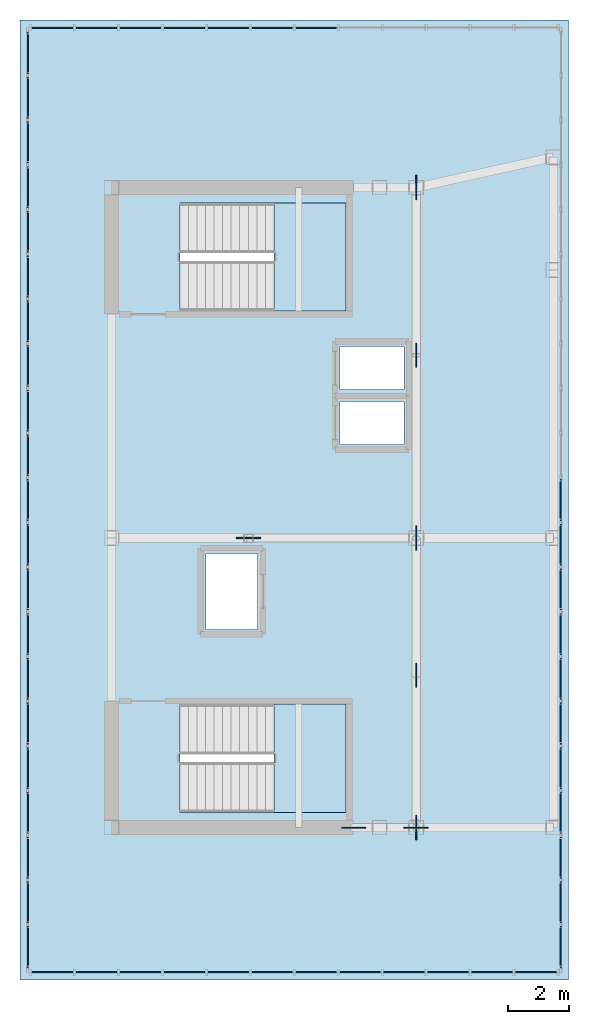
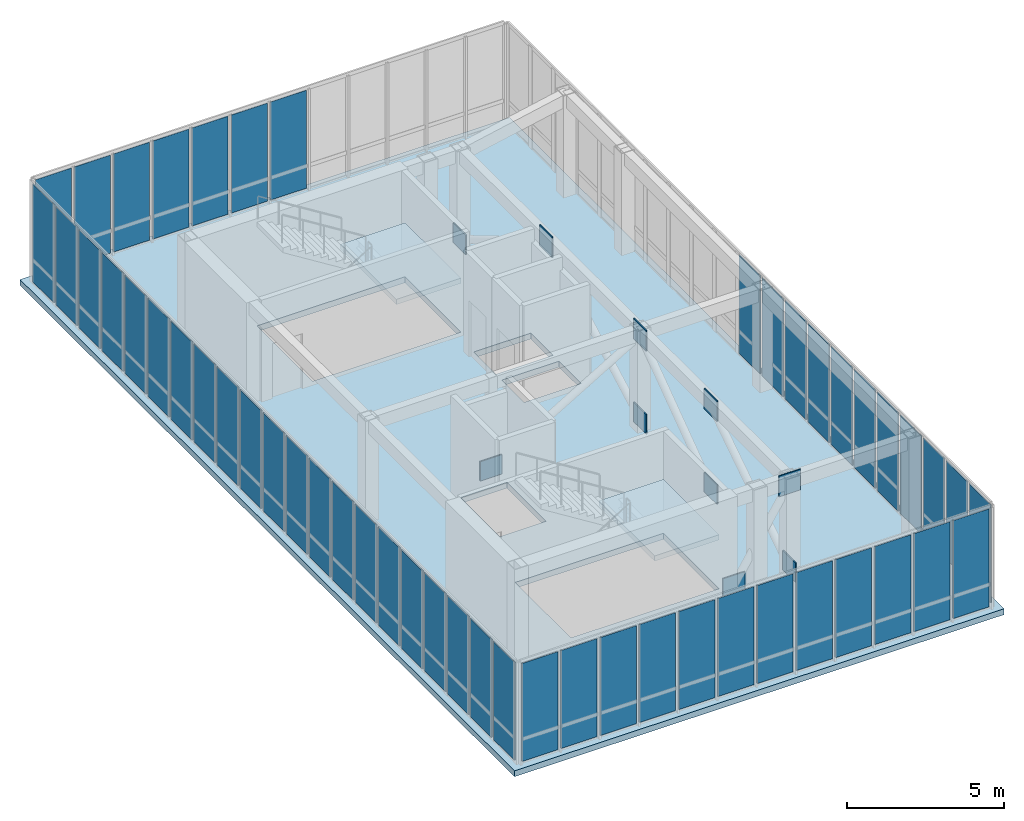
# One storey, part 11 of 13: 61 plates, 3 slabs, 6 elements without a shape of their own.
"""IFC4 building model written with IfcOpenShell, lengths in metres."""

from ifc_helpers import new_model, si_unit, direction, frame, origin, origin_2d, place, context, subcontext, project, spatial, polyline, rectangle, outline, extrude, source, transform, mapped, material, layer, layer_set, type_object, element, aggregate, save


model = new_model("IFC4")

# Units and contexts
model_context = context("Model", 3, precision=1e-05, world=origin(), true_north=direction((0.0, 1.0)))
body_context = subcontext(model_context, "Body", "Model", "MODEL_VIEW")
ifc_project = project(units=[si_unit("LENGTHUNIT", "METRE"), si_unit("AREAUNIT", "SQUARE_METRE"), si_unit("VOLUMEUNIT", "CUBIC_METRE"), si_unit("PLANEANGLEUNIT", "RADIAN"), si_unit("MASSUNIT", "GRAM", prefix="KILO")], contexts=[model_context])

# Site, building, storey
site_placement = place(None, origin())
site = spatial("IfcSite", under=ifc_project, at=site_placement, CompositionType="ELEMENT")
building_placement = place(site_placement, origin())
building = spatial("IfcBuilding", under=site, at=building_placement, Name="Kharzan Plaza Tower", CompositionType="ELEMENT")
storey_placement = place(building_placement, frame((0.0, 0.0, 281.39990234375)))
storey = spatial("IfcBuildingStorey", under=building, at=storey_placement, Name="L76-CROWN", CompositionType="ELEMENT", Elevation=281.39990234375)

# Slab
ifc_material_1 = material(Name="Concrete C40/50", Category="concrete")
ifc_layer_1 = layer(ifc_material_1, 0.22998046875)
ifc_layer_set_1 = layer_set([ifc_layer_1], Name="Concrete C40/50")
slab_type_1 = type_object("IfcSlabType", Name="SL-FLOOR-230", PredefinedType="FLOOR", material=ifc_layer_set_1)
slab_1_placement = place(storey_placement, frame((0.0, 0.0, -0.22998046875)))
element("IfcSlab", 1, at=slab_1_placement, inside=storey, type_object=slab_type_1, Name="L76-CROWN Composite Structural Floor Slab 230 mm", PredefinedType="FLOOR", context=body_context, shape_type="SweptSolid", body=[
    extrude(outline(polyline([(1.5, 3.5), (19.5, 3.5), (19.5, 35.0), (1.5, 35.0), (1.5, 3.5)]), holes=[polyline([(6.75, 12.550048828125), (6.75, 9.0), (12.199951171875, 9.0), (12.199951171875, 12.550048828125), (6.75, 12.550048828125)]), polyline([(7.60009765625, 17.5), (7.60009765625, 15.0), (9.300048828125, 15.0), (9.300048828125, 17.5), (7.60009765625, 17.5)]), polyline([(12.0, 22.489990234375), (12.0, 21.070068359375), (14.10009765625, 21.070068359375), (14.10009765625, 22.489990234375), (12.0, 22.489990234375)]), polyline([(14.10009765625, 24.2900390625), (12.0, 24.2900390625), (12.0, 22.8701171875), (14.10009765625, 22.8701171875), (14.10009765625, 24.2900390625)]), polyline([(12.199951171875, 29.0), (6.75, 29.0), (6.75, 25.449951171875), (12.199951171875, 25.449951171875), (12.199951171875, 29.0)])]), origin(), (0.0, 0.0, 1.0), 0.22998046875),
])

# Stair, slab
stair_type_1 = type_object("IfcStairType", Name="STR-ST-1", PredefinedType="HALF_TURN_STAIR", material=ifc_material_1)
stair_1_placement = place(storey_placement, origin())
stair_1 = element("IfcStair", 2, at=stair_1_placement, inside=storey, type_object=stair_type_1, Name="L76-CROWN Protected Exit Stair ST-1", PredefinedType="HALF_TURN_STAIR")
ifc_layer_2 = layer(ifc_material_1, 0.219970703125)
ifc_layer_set_2 = layer_set([ifc_layer_2], Name="Concrete C40/50")
slab_type_2 = type_object("IfcSlabType", Name="SL-LANDING-220", PredefinedType="LANDING", material=ifc_layer_set_2)
slab_2_placement = place(storey_placement, frame((0.0, 0.0, 1.900146484375)))
slab_2 = element("IfcSlab", 3, at=slab_2_placement, type_object=slab_type_2, Name="ST-1 landing 1", PredefinedType="LANDING", context=body_context, shape_type="SweptSolid", body=[
    extrude(outline(polyline([(9.830078125, 9.0), (12.199951171875, 9.0), (12.199951171875, 12.550048828125), (9.830078125, 12.550048828125), (9.830078125, 9.0)])), origin(), (0.0, 0.0, 1.0), 0.199951171875),
])
aggregate(stair_1, [slab_2])

stair_type_2 = type_object("IfcStairType", Name="STR-ST-2", PredefinedType="HALF_TURN_STAIR", material=ifc_material_1)
stair_2_placement = place(storey_placement, origin())
stair_2 = element("IfcStair", 4, at=stair_2_placement, inside=storey, type_object=stair_type_2, Name="L76-CROWN Protected Exit Stair ST-2", PredefinedType="HALF_TURN_STAIR")
slab_3_placement = place(storey_placement, frame((0.0, 0.0, 1.900146484375)))
slab_3 = element("IfcSlab", 5, at=slab_3_placement, type_object=slab_type_2, Name="ST-2 landing 1", PredefinedType="LANDING", context=body_context, shape_type="SweptSolid", body=[
    extrude(outline(polyline([(9.830078125, 25.449951171875), (12.199951171875, 25.449951171875), (12.199951171875, 29.0), (9.830078125, 29.0), (9.830078125, 25.449951171875)])), origin(), (0.0, 0.0, 1.0), 0.199951171875),
])
aggregate(stair_2, [slab_3])

# Curtain wall, plates
ifc_material_2 = material(Name="Unitised Bronze-Anodized Aluminium and Low-E Glass", Category="aluminium")
ifc_layer_3 = layer(ifc_material_2, 0.199951171875)
ifc_layer_set_3 = layer_set([ifc_layer_3], Name="Unitised Bronze-Anodized Aluminium and Low-E Glass")
curtain_wall_type = type_object("IfcCurtainWallType", Name="CW-LANTERN-6", PredefinedType="NOTDEFINED", material=ifc_layer_set_3)
curtain_wall_1_placement = place(storey_placement, origin())
curtain_wall_1 = element("IfcCurtainWall", 6, at=curtain_wall_1_placement, inside=storey, type_object=curtain_wall_type, Name="L76-CROWN Lantern Crown Illuminated Curtain Wall 1", PredefinedType="NOTDEFINED")
ifc_material_3 = material(Name="Low-Iron Fritted Lantern Crown Glazing", Category="glass")
ifc_layer_4 = layer(ifc_material_3, 0.035888671875)
ifc_layer_set_4 = layer_set([ifc_layer_4], Name="Low-Iron Fritted Lantern Crown Glazing")
plate_type_1 = type_object("IfcPlateType", Name="PLT-CW-LANTERN", PredefinedType="CURTAIN_PANEL", material=ifc_layer_set_4)
shared_shape_1 = source(origin(), body_context, "Body", "SweptSolid", [
    extrude(rectangle(XDim=1.32177734375, YDim=0.035888671875, at=origin_2d()), origin(), (0.0, 0.0, 1.0), 3.81005859375),
])
plate_1_placement = place(storey_placement, frame((2.57080078125, 3.75, 0.080078125), z_axis=(0.0, 0.0, 1.0), x_axis=(1.0, 0.0, 0.0)))
plate_1 = element("IfcPlate", 7, at=plate_1_placement, type_object=plate_type_1, Name="L76-CROWN Curtain-Wall Glazed Panel 00", PredefinedType="CURTAIN_PANEL", context=body_context, shape_type="MappedRepresentation", body=[
    mapped(shared_shape_1, transform((0.0, 0.0, 0.0), x_axis=(1.0, 0.0, 0.0), y_axis=(0.0, 1.0, 0.0), z_axis=(0.0, 0.0, 1.0))),
])
plate_2_placement = place(storey_placement, frame((4.012451171875, 3.75, 0.080078125), z_axis=(0.0, 0.0, 1.0), x_axis=(1.0, 0.0, 0.0)))
plate_2 = element("IfcPlate", 8, at=plate_2_placement, type_object=plate_type_1, Name="L76-CROWN Curtain-Wall Glazed Panel 01", PredefinedType="CURTAIN_PANEL", context=body_context, shape_type="MappedRepresentation", body=[
    mapped(shared_shape_1, transform((0.0, 0.0, 0.0), x_axis=(1.0, 0.0, 0.0), y_axis=(0.0, 1.0, 0.0), z_axis=(0.0, 0.0, 1.0))),
])
plate_3_placement = place(storey_placement, frame((5.4541015625, 3.75, 0.080078125), z_axis=(0.0, 0.0, 1.0), x_axis=(1.0, 0.0, 0.0)))
plate_3 = element("IfcPlate", 9, at=plate_3_placement, type_object=plate_type_1, Name="L76-CROWN Curtain-Wall Glazed Panel 02", PredefinedType="CURTAIN_PANEL", context=body_context, shape_type="MappedRepresentation", body=[
    mapped(shared_shape_1, transform((0.0, 0.0, 0.0), x_axis=(1.0, 0.0, 0.0), y_axis=(0.0, 1.0, 0.0), z_axis=(0.0, 0.0, 1.0))),
])
plate_4_placement = place(storey_placement, frame((6.895751953125, 3.75, 0.080078125), z_axis=(0.0, 0.0, 1.0), x_axis=(1.0, 0.0, 0.0)))
plate_4 = element("IfcPlate", 10, at=plate_4_placement, type_object=plate_type_1, Name="L76-CROWN Curtain-Wall Glazed Panel 03", PredefinedType="CURTAIN_PANEL", context=body_context, shape_type="MappedRepresentation", body=[
    mapped(shared_shape_1, transform((0.0, 0.0, 0.0), x_axis=(1.0, 0.0, 0.0), y_axis=(0.0, 1.0, 0.0), z_axis=(0.0, 0.0, 1.0))),
])
plate_5_placement = place(storey_placement, frame((8.33740234375, 3.75, 0.080078125), z_axis=(0.0, 0.0, 1.0), x_axis=(1.0, 0.0, 0.0)))
plate_5 = element("IfcPlate", 11, at=plate_5_placement, type_object=plate_type_1, Name="L76-CROWN Curtain-Wall Glazed Panel 04", PredefinedType="CURTAIN_PANEL", context=body_context, shape_type="MappedRepresentation", body=[
    mapped(shared_shape_1, transform((0.0, 0.0, 0.0), x_axis=(1.0, 0.0, 0.0), y_axis=(0.0, 1.0, 0.0), z_axis=(0.0, 0.0, 1.0))),
])
plate_6_placement = place(storey_placement, frame((9.779296875, 3.75, 0.080078125), z_axis=(0.0, 0.0, 1.0), x_axis=(1.0, 0.0, 0.0)))
plate_6 = element("IfcPlate", 12, at=plate_6_placement, type_object=plate_type_1, Name="L76-CROWN Curtain-Wall Glazed Panel 05", PredefinedType="CURTAIN_PANEL", context=body_context, shape_type="MappedRepresentation", body=[
    mapped(shared_shape_1, transform((0.0, 0.0, 0.0), x_axis=(1.0, 0.0, 0.0), y_axis=(0.0, 1.0, 0.0), z_axis=(0.0, 0.0, 1.0))),
])
plate_7_placement = place(storey_placement, frame((11.220703125, 3.75, 0.080078125), z_axis=(0.0, 0.0, 1.0), x_axis=(1.0, 0.0, 0.0)))
plate_7 = element("IfcPlate", 13, at=plate_7_placement, type_object=plate_type_1, Name="L76-CROWN Curtain-Wall Glazed Panel 06", PredefinedType="CURTAIN_PANEL", context=body_context, shape_type="MappedRepresentation", body=[
    mapped(shared_shape_1, transform((0.0, 0.0, 0.0), x_axis=(1.0, 0.0, 0.0), y_axis=(0.0, 1.0, 0.0), z_axis=(0.0, 0.0, 1.0))),
])
plate_8_placement = place(storey_placement, frame((12.66259765625, 3.75, 0.080078125), z_axis=(0.0, 0.0, 1.0), x_axis=(1.0, 0.0, 0.0)))
plate_8 = element("IfcPlate", 14, at=plate_8_placement, type_object=plate_type_1, Name="L76-CROWN Curtain-Wall Glazed Panel 07", PredefinedType="CURTAIN_PANEL", context=body_context, shape_type="MappedRepresentation", body=[
    mapped(shared_shape_1, transform((0.0, 0.0, 0.0), x_axis=(1.0, 0.0, 0.0), y_axis=(0.0, 1.0, 0.0), z_axis=(0.0, 0.0, 1.0))),
])
plate_9_placement = place(storey_placement, frame((14.104248046875, 3.75, 0.080078125), z_axis=(0.0, 0.0, 1.0), x_axis=(1.0, 0.0, 0.0)))
plate_9 = element("IfcPlate", 15, at=plate_9_placement, type_object=plate_type_1, Name="L76-CROWN Curtain-Wall Glazed Panel 08", PredefinedType="CURTAIN_PANEL", context=body_context, shape_type="MappedRepresentation", body=[
    mapped(shared_shape_1, transform((0.0, 0.0, 0.0), x_axis=(1.0, 0.0, 0.0), y_axis=(0.0, 1.0, 0.0), z_axis=(0.0, 0.0, 1.0))),
])
plate_10_placement = place(storey_placement, frame((15.5458984375, 3.75, 0.080078125), z_axis=(0.0, 0.0, 1.0), x_axis=(1.0, 0.0, 0.0)))
plate_10 = element("IfcPlate", 16, at=plate_10_placement, type_object=plate_type_1, Name="L76-CROWN Curtain-Wall Glazed Panel 09", PredefinedType="CURTAIN_PANEL", context=body_context, shape_type="MappedRepresentation", body=[
    mapped(shared_shape_1, transform((0.0, 0.0, 0.0), x_axis=(1.0, 0.0, 0.0), y_axis=(0.0, 1.0, 0.0), z_axis=(0.0, 0.0, 1.0))),
])
plate_11_placement = place(storey_placement, frame((16.987548828125, 3.75, 0.080078125), z_axis=(0.0, 0.0, 1.0), x_axis=(1.0, 0.0, 0.0)))
plate_11 = element("IfcPlate", 17, at=plate_11_placement, type_object=plate_type_1, Name="L76-CROWN Curtain-Wall Glazed Panel 10", PredefinedType="CURTAIN_PANEL", context=body_context, shape_type="MappedRepresentation", body=[
    mapped(shared_shape_1, transform((0.0, 0.0, 0.0), x_axis=(1.0, 0.0, 0.0), y_axis=(0.0, 1.0, 0.0), z_axis=(0.0, 0.0, 1.0))),
])
plate_12_placement = place(storey_placement, frame((18.42919921875, 3.75, 0.080078125), z_axis=(0.0, 0.0, 1.0), x_axis=(1.0, 0.0, 0.0)))
plate_12 = element("IfcPlate", 18, at=plate_12_placement, type_object=plate_type_1, Name="L76-CROWN Curtain-Wall Glazed Panel 11", PredefinedType="CURTAIN_PANEL", context=body_context, shape_type="MappedRepresentation", body=[
    mapped(shared_shape_1, transform((0.0, 0.0, 0.0), x_axis=(1.0, 0.0, 0.0), y_axis=(0.0, 1.0, 0.0), z_axis=(0.0, 0.0, 1.0))),
])
aggregate(curtain_wall_1, [plate_1, plate_2, plate_3, plate_4, plate_5, plate_6, plate_7, plate_8, plate_9, plate_10, plate_11, plate_12])

curtain_wall_2_placement = place(storey_placement, origin())
curtain_wall_2 = element("IfcCurtainWall", 19, at=curtain_wall_2_placement, inside=storey, type_object=curtain_wall_type, Name="L76-CROWN Lantern Crown Illuminated Curtain Wall 3", PredefinedType="NOTDEFINED")
plate_13_placement = place(storey_placement, frame((11.220703125, 34.75, 0.080078125), z_axis=(0.0, 0.0, 1.0), x_axis=(-1.0, 0.0, 0.0)))
plate_13 = element("IfcPlate", 20, at=plate_13_placement, type_object=plate_type_1, Name="L76-CROWN Curtain-Wall Glazed Panel 05", PredefinedType="CURTAIN_PANEL", context=body_context, shape_type="MappedRepresentation", body=[
    mapped(shared_shape_1, transform((0.0, 0.0, 0.0), x_axis=(1.0, 0.0, 0.0), y_axis=(0.0, 1.0, 0.0), z_axis=(0.0, 0.0, 1.0))),
])
plate_14_placement = place(storey_placement, frame((9.779296875, 34.75, 0.080078125), z_axis=(0.0, 0.0, 1.0), x_axis=(-1.0, 0.0, 0.0)))
plate_14 = element("IfcPlate", 21, at=plate_14_placement, type_object=plate_type_1, Name="L76-CROWN Curtain-Wall Glazed Panel 06", PredefinedType="CURTAIN_PANEL", context=body_context, shape_type="MappedRepresentation", body=[
    mapped(shared_shape_1, transform((0.0, 0.0, 0.0), x_axis=(1.0, 0.0, 0.0), y_axis=(0.0, 1.0, 0.0), z_axis=(0.0, 0.0, 1.0))),
])
plate_15_placement = place(storey_placement, frame((8.33740234375, 34.75, 0.080078125), z_axis=(0.0, 0.0, 1.0), x_axis=(-1.0, 0.0, 0.0)))
plate_15 = element("IfcPlate", 22, at=plate_15_placement, type_object=plate_type_1, Name="L76-CROWN Curtain-Wall Glazed Panel 07", PredefinedType="CURTAIN_PANEL", context=body_context, shape_type="MappedRepresentation", body=[
    mapped(shared_shape_1, transform((0.0, 0.0, 0.0), x_axis=(1.0, 0.0, 0.0), y_axis=(0.0, 1.0, 0.0), z_axis=(0.0, 0.0, 1.0))),
])
plate_16_placement = place(storey_placement, frame((6.895751953125, 34.75, 0.080078125), z_axis=(0.0, 0.0, 1.0), x_axis=(-1.0, 0.0, 0.0)))
plate_16 = element("IfcPlate", 23, at=plate_16_placement, type_object=plate_type_1, Name="L76-CROWN Curtain-Wall Glazed Panel 08", PredefinedType="CURTAIN_PANEL", context=body_context, shape_type="MappedRepresentation", body=[
    mapped(shared_shape_1, transform((0.0, 0.0, 0.0), x_axis=(1.0, 0.0, 0.0), y_axis=(0.0, 1.0, 0.0), z_axis=(0.0, 0.0, 1.0))),
])
plate_17_placement = place(storey_placement, frame((5.4541015625, 34.75, 0.080078125), z_axis=(0.0, 0.0, 1.0), x_axis=(-1.0, 0.0, 0.0)))
plate_17 = element("IfcPlate", 24, at=plate_17_placement, type_object=plate_type_1, Name="L76-CROWN Curtain-Wall Glazed Panel 09", PredefinedType="CURTAIN_PANEL", context=body_context, shape_type="MappedRepresentation", body=[
    mapped(shared_shape_1, transform((0.0, 0.0, 0.0), x_axis=(1.0, 0.0, 0.0), y_axis=(0.0, 1.0, 0.0), z_axis=(0.0, 0.0, 1.0))),
])
plate_18_placement = place(storey_placement, frame((4.012451171875, 34.75, 0.080078125), z_axis=(0.0, 0.0, 1.0), x_axis=(-1.0, 0.0, 0.0)))
plate_18 = element("IfcPlate", 25, at=plate_18_placement, type_object=plate_type_1, Name="L76-CROWN Curtain-Wall Glazed Panel 10", PredefinedType="CURTAIN_PANEL", context=body_context, shape_type="MappedRepresentation", body=[
    mapped(shared_shape_1, transform((0.0, 0.0, 0.0), x_axis=(1.0, 0.0, 0.0), y_axis=(0.0, 1.0, 0.0), z_axis=(0.0, 0.0, 1.0))),
])
plate_19_placement = place(storey_placement, frame((2.57080078125, 34.75, 0.080078125), z_axis=(0.0, 0.0, 1.0), x_axis=(-1.0, 0.0, 0.0)))
plate_19 = element("IfcPlate", 26, at=plate_19_placement, type_object=plate_type_1, Name="L76-CROWN Curtain-Wall Glazed Panel 11", PredefinedType="CURTAIN_PANEL", context=body_context, shape_type="MappedRepresentation", body=[
    mapped(shared_shape_1, transform((0.0, 0.0, 0.0), x_axis=(1.0, 0.0, 0.0), y_axis=(0.0, 1.0, 0.0), z_axis=(0.0, 0.0, 1.0))),
])
aggregate(curtain_wall_2, [plate_13, plate_14, plate_15, plate_16, plate_17, plate_18, plate_19])

curtain_wall_3_placement = place(storey_placement, origin())
curtain_wall_3 = element("IfcCurtainWall", 27, at=curtain_wall_3_placement, inside=storey, type_object=curtain_wall_type, Name="L76-CROWN Lantern Crown Illuminated Curtain Wall 2", PredefinedType="NOTDEFINED")
shared_shape_2 = source(origin(), body_context, "Body", "SweptSolid", [
    extrude(rectangle(XDim=1.3466796875, YDim=0.035888671875, at=origin_2d()), origin(), (0.0, 0.0, 1.0), 3.81005859375),
])
plate_20_placement = place(storey_placement, frame((19.25, 4.583251953125, 0.080078125), z_axis=(0.0, 0.0, 1.0), x_axis=(0.0, 1.0, 0.0)))
plate_20 = element("IfcPlate", 28, at=plate_20_placement, type_object=plate_type_1, Name="L76-CROWN Curtain-Wall Glazed Panel 00", PredefinedType="CURTAIN_PANEL", context=body_context, shape_type="MappedRepresentation", body=[
    mapped(shared_shape_2, transform((0.0, 0.0, 0.0), x_axis=(1.0, 0.0, 0.0), y_axis=(0.0, 1.0, 0.0), z_axis=(0.0, 0.0, 1.0))),
])
plate_21_placement = place(storey_placement, frame((19.25, 6.050048828125, 0.080078125), z_axis=(0.0, 0.0, 1.0), x_axis=(0.0, 1.0, 0.0)))
plate_21 = element("IfcPlate", 29, at=plate_21_placement, type_object=plate_type_1, Name="L76-CROWN Curtain-Wall Glazed Panel 01", PredefinedType="CURTAIN_PANEL", context=body_context, shape_type="MappedRepresentation", body=[
    mapped(shared_shape_2, transform((0.0, 0.0, 0.0), x_axis=(1.0, 0.0, 0.0), y_axis=(0.0, 1.0, 0.0), z_axis=(0.0, 0.0, 1.0))),
])
plate_22_placement = place(storey_placement, frame((19.25, 7.5166015625, 0.080078125), z_axis=(0.0, 0.0, 1.0), x_axis=(0.0, 1.0, 0.0)))
plate_22 = element("IfcPlate", 30, at=plate_22_placement, type_object=plate_type_1, Name="L76-CROWN Curtain-Wall Glazed Panel 02", PredefinedType="CURTAIN_PANEL", context=body_context, shape_type="MappedRepresentation", body=[
    mapped(shared_shape_2, transform((0.0, 0.0, 0.0), x_axis=(1.0, 0.0, 0.0), y_axis=(0.0, 1.0, 0.0), z_axis=(0.0, 0.0, 1.0))),
])
plate_23_placement = place(storey_placement, frame((19.25, 8.9833984375, 0.080078125), z_axis=(0.0, 0.0, 1.0), x_axis=(0.0, 1.0, 0.0)))
plate_23 = element("IfcPlate", 31, at=plate_23_placement, type_object=plate_type_1, Name="L76-CROWN Curtain-Wall Glazed Panel 03", PredefinedType="CURTAIN_PANEL", context=body_context, shape_type="MappedRepresentation", body=[
    mapped(shared_shape_2, transform((0.0, 0.0, 0.0), x_axis=(1.0, 0.0, 0.0), y_axis=(0.0, 1.0, 0.0), z_axis=(0.0, 0.0, 1.0))),
])
plate_24_placement = place(storey_placement, frame((19.25, 10.449951171875, 0.080078125), z_axis=(0.0, 0.0, 1.0), x_axis=(0.0, 1.0, 0.0)))
plate_24 = element("IfcPlate", 32, at=plate_24_placement, type_object=plate_type_1, Name="L76-CROWN Curtain-Wall Glazed Panel 04", PredefinedType="CURTAIN_PANEL", context=body_context, shape_type="MappedRepresentation", body=[
    mapped(shared_shape_2, transform((0.0, 0.0, 0.0), x_axis=(1.0, 0.0, 0.0), y_axis=(0.0, 1.0, 0.0), z_axis=(0.0, 0.0, 1.0))),
])
plate_25_placement = place(storey_placement, frame((19.25, 11.916748046875, 0.080078125), z_axis=(0.0, 0.0, 1.0), x_axis=(0.0, 1.0, 0.0)))
plate_25 = element("IfcPlate", 33, at=plate_25_placement, type_object=plate_type_1, Name="L76-CROWN Curtain-Wall Glazed Panel 05", PredefinedType="CURTAIN_PANEL", context=body_context, shape_type="MappedRepresentation", body=[
    mapped(shared_shape_2, transform((0.0, 0.0, 0.0), x_axis=(1.0, 0.0, 0.0), y_axis=(0.0, 1.0, 0.0), z_axis=(0.0, 0.0, 1.0))),
])
plate_26_placement = place(storey_placement, frame((19.25, 13.38330078125, 0.080078125), z_axis=(0.0, 0.0, 1.0), x_axis=(0.0, 1.0, 0.0)))
plate_26 = element("IfcPlate", 34, at=plate_26_placement, type_object=plate_type_1, Name="L76-CROWN Curtain-Wall Glazed Panel 06", PredefinedType="CURTAIN_PANEL", context=body_context, shape_type="MappedRepresentation", body=[
    mapped(shared_shape_2, transform((0.0, 0.0, 0.0), x_axis=(1.0, 0.0, 0.0), y_axis=(0.0, 1.0, 0.0), z_axis=(0.0, 0.0, 1.0))),
])
plate_27_placement = place(storey_placement, frame((19.25, 14.85009765625, 0.080078125), z_axis=(0.0, 0.0, 1.0), x_axis=(0.0, 1.0, 0.0)))
plate_27 = element("IfcPlate", 35, at=plate_27_placement, type_object=plate_type_1, Name="L76-CROWN Curtain-Wall Glazed Panel 07", PredefinedType="CURTAIN_PANEL", context=body_context, shape_type="MappedRepresentation", body=[
    mapped(shared_shape_2, transform((0.0, 0.0, 0.0), x_axis=(1.0, 0.0, 0.0), y_axis=(0.0, 1.0, 0.0), z_axis=(0.0, 0.0, 1.0))),
])
plate_28_placement = place(storey_placement, frame((19.25, 16.316650390625, 0.080078125), z_axis=(0.0, 0.0, 1.0), x_axis=(0.0, 1.0, 0.0)))
plate_28 = element("IfcPlate", 36, at=plate_28_placement, type_object=plate_type_1, Name="L76-CROWN Curtain-Wall Glazed Panel 08", PredefinedType="CURTAIN_PANEL", context=body_context, shape_type="MappedRepresentation", body=[
    mapped(shared_shape_2, transform((0.0, 0.0, 0.0), x_axis=(1.0, 0.0, 0.0), y_axis=(0.0, 1.0, 0.0), z_axis=(0.0, 0.0, 1.0))),
])
plate_29_placement = place(storey_placement, frame((19.25, 17.783203125, 0.080078125), z_axis=(0.0, 0.0, 1.0), x_axis=(0.0, 1.0, 0.0)))
plate_29 = element("IfcPlate", 37, at=plate_29_placement, type_object=plate_type_1, Name="L76-CROWN Curtain-Wall Glazed Panel 09", PredefinedType="CURTAIN_PANEL", context=body_context, shape_type="MappedRepresentation", body=[
    mapped(shared_shape_2, transform((0.0, 0.0, 0.0), x_axis=(1.0, 0.0, 0.0), y_axis=(0.0, 1.0, 0.0), z_axis=(0.0, 0.0, 1.0))),
])
plate_30_placement = place(storey_placement, frame((19.25, 19.25, 0.080078125), z_axis=(0.0, 0.0, 1.0), x_axis=(0.0, 1.0, 0.0)))
plate_30 = element("IfcPlate", 38, at=plate_30_placement, type_object=plate_type_1, Name="L76-CROWN Curtain-Wall Glazed Panel 10", PredefinedType="CURTAIN_PANEL", context=body_context, shape_type="MappedRepresentation", body=[
    mapped(shared_shape_2, transform((0.0, 0.0, 0.0), x_axis=(1.0, 0.0, 0.0), y_axis=(0.0, 1.0, 0.0), z_axis=(0.0, 0.0, 1.0))),
])
aggregate(curtain_wall_3, [plate_20, plate_21, plate_22, plate_23, plate_24, plate_25, plate_26, plate_27, plate_28, plate_29, plate_30])

curtain_wall_4_placement = place(storey_placement, origin())
curtain_wall_4 = element("IfcCurtainWall", 39, at=curtain_wall_4_placement, inside=storey, type_object=curtain_wall_type, Name="L76-CROWN Lantern Crown Illuminated Curtain Wall 4", PredefinedType="NOTDEFINED")
plate_31_placement = place(storey_placement, frame((1.75, 33.916748046875, 0.080078125), z_axis=(0.0, 0.0, 1.0), x_axis=(0.0, -1.0, 0.0)))
plate_31 = element("IfcPlate", 40, at=plate_31_placement, type_object=plate_type_1, Name="L76-CROWN Curtain-Wall Glazed Panel 00", PredefinedType="CURTAIN_PANEL", context=body_context, shape_type="MappedRepresentation", body=[
    mapped(shared_shape_2, transform((0.0, 0.0, 0.0), x_axis=(1.0, 0.0, 0.0), y_axis=(0.0, 1.0, 0.0), z_axis=(0.0, 0.0, 1.0))),
])
plate_32_placement = place(storey_placement, frame((1.75, 32.449951171875, 0.080078125), z_axis=(0.0, 0.0, 1.0), x_axis=(0.0, -1.0, 0.0)))
plate_32 = element("IfcPlate", 41, at=plate_32_placement, type_object=plate_type_1, Name="L76-CROWN Curtain-Wall Glazed Panel 01", PredefinedType="CURTAIN_PANEL", context=body_context, shape_type="MappedRepresentation", body=[
    mapped(shared_shape_2, transform((0.0, 0.0, 0.0), x_axis=(1.0, 0.0, 0.0), y_axis=(0.0, 1.0, 0.0), z_axis=(0.0, 0.0, 1.0))),
])
plate_33_placement = place(storey_placement, frame((1.75, 30.9833984375, 0.080078125), z_axis=(0.0, 0.0, 1.0), x_axis=(0.0, -1.0, 0.0)))
plate_33 = element("IfcPlate", 42, at=plate_33_placement, type_object=plate_type_1, Name="L76-CROWN Curtain-Wall Glazed Panel 02", PredefinedType="CURTAIN_PANEL", context=body_context, shape_type="MappedRepresentation", body=[
    mapped(shared_shape_2, transform((0.0, 0.0, 0.0), x_axis=(1.0, 0.0, 0.0), y_axis=(0.0, 1.0, 0.0), z_axis=(0.0, 0.0, 1.0))),
])
plate_34_placement = place(storey_placement, frame((1.75, 29.5166015625, 0.080078125), z_axis=(0.0, 0.0, 1.0), x_axis=(0.0, -1.0, 0.0)))
plate_34 = element("IfcPlate", 43, at=plate_34_placement, type_object=plate_type_1, Name="L76-CROWN Curtain-Wall Glazed Panel 03", PredefinedType="CURTAIN_PANEL", context=body_context, shape_type="MappedRepresentation", body=[
    mapped(shared_shape_2, transform((0.0, 0.0, 0.0), x_axis=(1.0, 0.0, 0.0), y_axis=(0.0, 1.0, 0.0), z_axis=(0.0, 0.0, 1.0))),
])
plate_35_placement = place(storey_placement, frame((1.75, 28.050048828125, 0.080078125), z_axis=(0.0, 0.0, 1.0), x_axis=(0.0, -1.0, 0.0)))
plate_35 = element("IfcPlate", 44, at=plate_35_placement, type_object=plate_type_1, Name="L76-CROWN Curtain-Wall Glazed Panel 04", PredefinedType="CURTAIN_PANEL", context=body_context, shape_type="MappedRepresentation", body=[
    mapped(shared_shape_2, transform((0.0, 0.0, 0.0), x_axis=(1.0, 0.0, 0.0), y_axis=(0.0, 1.0, 0.0), z_axis=(0.0, 0.0, 1.0))),
])
plate_36_placement = place(storey_placement, frame((1.75, 26.583251953125, 0.080078125), z_axis=(0.0, 0.0, 1.0), x_axis=(0.0, -1.0, 0.0)))
plate_36 = element("IfcPlate", 45, at=plate_36_placement, type_object=plate_type_1, Name="L76-CROWN Curtain-Wall Glazed Panel 05", PredefinedType="CURTAIN_PANEL", context=body_context, shape_type="MappedRepresentation", body=[
    mapped(shared_shape_2, transform((0.0, 0.0, 0.0), x_axis=(1.0, 0.0, 0.0), y_axis=(0.0, 1.0, 0.0), z_axis=(0.0, 0.0, 1.0))),
])
plate_37_placement = place(storey_placement, frame((1.75, 25.11669921875, 0.080078125), z_axis=(0.0, 0.0, 1.0), x_axis=(0.0, -1.0, 0.0)))
plate_37 = element("IfcPlate", 46, at=plate_37_placement, type_object=plate_type_1, Name="L76-CROWN Curtain-Wall Glazed Panel 06", PredefinedType="CURTAIN_PANEL", context=body_context, shape_type="MappedRepresentation", body=[
    mapped(shared_shape_2, transform((0.0, 0.0, 0.0), x_axis=(1.0, 0.0, 0.0), y_axis=(0.0, 1.0, 0.0), z_axis=(0.0, 0.0, 1.0))),
])
plate_38_placement = place(storey_placement, frame((1.75, 23.64990234375, 0.080078125), z_axis=(0.0, 0.0, 1.0), x_axis=(0.0, -1.0, 0.0)))
plate_38 = element("IfcPlate", 47, at=plate_38_placement, type_object=plate_type_1, Name="L76-CROWN Curtain-Wall Glazed Panel 07", PredefinedType="CURTAIN_PANEL", context=body_context, shape_type="MappedRepresentation", body=[
    mapped(shared_shape_2, transform((0.0, 0.0, 0.0), x_axis=(1.0, 0.0, 0.0), y_axis=(0.0, 1.0, 0.0), z_axis=(0.0, 0.0, 1.0))),
])
plate_39_placement = place(storey_placement, frame((1.75, 22.183349609375, 0.080078125), z_axis=(0.0, 0.0, 1.0), x_axis=(0.0, -1.0, 0.0)))
plate_39 = element("IfcPlate", 48, at=plate_39_placement, type_object=plate_type_1, Name="L76-CROWN Curtain-Wall Glazed Panel 08", PredefinedType="CURTAIN_PANEL", context=body_context, shape_type="MappedRepresentation", body=[
    mapped(shared_shape_2, transform((0.0, 0.0, 0.0), x_axis=(1.0, 0.0, 0.0), y_axis=(0.0, 1.0, 0.0), z_axis=(0.0, 0.0, 1.0))),
])
plate_40_placement = place(storey_placement, frame((1.75, 20.716796875, 0.080078125), z_axis=(0.0, 0.0, 1.0), x_axis=(0.0, -1.0, 0.0)))
plate_40 = element("IfcPlate", 49, at=plate_40_placement, type_object=plate_type_1, Name="L76-CROWN Curtain-Wall Glazed Panel 09", PredefinedType="CURTAIN_PANEL", context=body_context, shape_type="MappedRepresentation", body=[
    mapped(shared_shape_2, transform((0.0, 0.0, 0.0), x_axis=(1.0, 0.0, 0.0), y_axis=(0.0, 1.0, 0.0), z_axis=(0.0, 0.0, 1.0))),
])
plate_41_placement = place(storey_placement, frame((1.75, 19.25, 0.080078125), z_axis=(0.0, 0.0, 1.0), x_axis=(0.0, -1.0, 0.0)))
plate_41 = element("IfcPlate", 50, at=plate_41_placement, type_object=plate_type_1, Name="L76-CROWN Curtain-Wall Glazed Panel 10", PredefinedType="CURTAIN_PANEL", context=body_context, shape_type="MappedRepresentation", body=[
    mapped(shared_shape_2, transform((0.0, 0.0, 0.0), x_axis=(1.0, 0.0, 0.0), y_axis=(0.0, 1.0, 0.0), z_axis=(0.0, 0.0, 1.0))),
])
plate_42_placement = place(storey_placement, frame((1.75, 17.783203125, 0.080078125), z_axis=(0.0, 0.0, 1.0), x_axis=(0.0, -1.0, 0.0)))
plate_42 = element("IfcPlate", 51, at=plate_42_placement, type_object=plate_type_1, Name="L76-CROWN Curtain-Wall Glazed Panel 11", PredefinedType="CURTAIN_PANEL", context=body_context, shape_type="MappedRepresentation", body=[
    mapped(shared_shape_2, transform((0.0, 0.0, 0.0), x_axis=(1.0, 0.0, 0.0), y_axis=(0.0, 1.0, 0.0), z_axis=(0.0, 0.0, 1.0))),
])
plate_43_placement = place(storey_placement, frame((1.75, 16.316650390625, 0.080078125), z_axis=(0.0, 0.0, 1.0), x_axis=(0.0, -1.0, 0.0)))
plate_43 = element("IfcPlate", 52, at=plate_43_placement, type_object=plate_type_1, Name="L76-CROWN Curtain-Wall Glazed Panel 12", PredefinedType="CURTAIN_PANEL", context=body_context, shape_type="MappedRepresentation", body=[
    mapped(shared_shape_2, transform((0.0, 0.0, 0.0), x_axis=(1.0, 0.0, 0.0), y_axis=(0.0, 1.0, 0.0), z_axis=(0.0, 0.0, 1.0))),
])
plate_44_placement = place(storey_placement, frame((1.75, 14.85009765625, 0.080078125), z_axis=(0.0, 0.0, 1.0), x_axis=(0.0, -1.0, 0.0)))
plate_44 = element("IfcPlate", 53, at=plate_44_placement, type_object=plate_type_1, Name="L76-CROWN Curtain-Wall Glazed Panel 13", PredefinedType="CURTAIN_PANEL", context=body_context, shape_type="MappedRepresentation", body=[
    mapped(shared_shape_2, transform((0.0, 0.0, 0.0), x_axis=(1.0, 0.0, 0.0), y_axis=(0.0, 1.0, 0.0), z_axis=(0.0, 0.0, 1.0))),
])
plate_45_placement = place(storey_placement, frame((1.75, 13.38330078125, 0.080078125), z_axis=(0.0, 0.0, 1.0), x_axis=(0.0, -1.0, 0.0)))
plate_45 = element("IfcPlate", 54, at=plate_45_placement, type_object=plate_type_1, Name="L76-CROWN Curtain-Wall Glazed Panel 14", PredefinedType="CURTAIN_PANEL", context=body_context, shape_type="MappedRepresentation", body=[
    mapped(shared_shape_2, transform((0.0, 0.0, 0.0), x_axis=(1.0, 0.0, 0.0), y_axis=(0.0, 1.0, 0.0), z_axis=(0.0, 0.0, 1.0))),
])
plate_46_placement = place(storey_placement, frame((1.75, 11.916748046875, 0.080078125), z_axis=(0.0, 0.0, 1.0), x_axis=(0.0, -1.0, 0.0)))
plate_46 = element("IfcPlate", 55, at=plate_46_placement, type_object=plate_type_1, Name="L76-CROWN Curtain-Wall Glazed Panel 15", PredefinedType="CURTAIN_PANEL", context=body_context, shape_type="MappedRepresentation", body=[
    mapped(shared_shape_2, transform((0.0, 0.0, 0.0), x_axis=(1.0, 0.0, 0.0), y_axis=(0.0, 1.0, 0.0), z_axis=(0.0, 0.0, 1.0))),
])
plate_47_placement = place(storey_placement, frame((1.75, 10.449951171875, 0.080078125), z_axis=(0.0, 0.0, 1.0), x_axis=(0.0, -1.0, 0.0)))
plate_47 = element("IfcPlate", 56, at=plate_47_placement, type_object=plate_type_1, Name="L76-CROWN Curtain-Wall Glazed Panel 16", PredefinedType="CURTAIN_PANEL", context=body_context, shape_type="MappedRepresentation", body=[
    mapped(shared_shape_2, transform((0.0, 0.0, 0.0), x_axis=(1.0, 0.0, 0.0), y_axis=(0.0, 1.0, 0.0), z_axis=(0.0, 0.0, 1.0))),
])
plate_48_placement = place(storey_placement, frame((1.75, 8.9833984375, 0.080078125), z_axis=(0.0, 0.0, 1.0), x_axis=(0.0, -1.0, 0.0)))
plate_48 = element("IfcPlate", 57, at=plate_48_placement, type_object=plate_type_1, Name="L76-CROWN Curtain-Wall Glazed Panel 17", PredefinedType="CURTAIN_PANEL", context=body_context, shape_type="MappedRepresentation", body=[
    mapped(shared_shape_2, transform((0.0, 0.0, 0.0), x_axis=(1.0, 0.0, 0.0), y_axis=(0.0, 1.0, 0.0), z_axis=(0.0, 0.0, 1.0))),
])
plate_49_placement = place(storey_placement, frame((1.75, 7.5166015625, 0.080078125), z_axis=(0.0, 0.0, 1.0), x_axis=(0.0, -1.0, 0.0)))
plate_49 = element("IfcPlate", 58, at=plate_49_placement, type_object=plate_type_1, Name="L76-CROWN Curtain-Wall Glazed Panel 18", PredefinedType="CURTAIN_PANEL", context=body_context, shape_type="MappedRepresentation", body=[
    mapped(shared_shape_2, transform((0.0, 0.0, 0.0), x_axis=(1.0, 0.0, 0.0), y_axis=(0.0, 1.0, 0.0), z_axis=(0.0, 0.0, 1.0))),
])
plate_50_placement = place(storey_placement, frame((1.75, 6.050048828125, 0.080078125), z_axis=(0.0, 0.0, 1.0), x_axis=(0.0, -1.0, 0.0)))
plate_50 = element("IfcPlate", 59, at=plate_50_placement, type_object=plate_type_1, Name="L76-CROWN Curtain-Wall Glazed Panel 19", PredefinedType="CURTAIN_PANEL", context=body_context, shape_type="MappedRepresentation", body=[
    mapped(shared_shape_2, transform((0.0, 0.0, 0.0), x_axis=(1.0, 0.0, 0.0), y_axis=(0.0, 1.0, 0.0), z_axis=(0.0, 0.0, 1.0))),
])
plate_51_placement = place(storey_placement, frame((1.75, 4.583251953125, 0.080078125), z_axis=(0.0, 0.0, 1.0), x_axis=(0.0, -1.0, 0.0)))
plate_51 = element("IfcPlate", 60, at=plate_51_placement, type_object=plate_type_1, Name="L76-CROWN Curtain-Wall Glazed Panel 20", PredefinedType="CURTAIN_PANEL", context=body_context, shape_type="MappedRepresentation", body=[
    mapped(shared_shape_2, transform((0.0, 0.0, 0.0), x_axis=(1.0, 0.0, 0.0), y_axis=(0.0, 1.0, 0.0), z_axis=(0.0, 0.0, 1.0))),
])
aggregate(curtain_wall_4, [plate_31, plate_32, plate_33, plate_34, plate_35, plate_36, plate_37, plate_38, plate_39, plate_40, plate_41, plate_42, plate_43, plate_44, plate_45, plate_46, plate_47, plate_48, plate_49, plate_50, plate_51])

# Plates
ifc_material_4 = material(Name="Steel S460", Category="steel")
ifc_layer_5 = layer(ifc_material_4, 0.044921875)
ifc_layer_set_5 = layer_set([ifc_layer_5], Name="Steel S460")
plate_type_2 = type_object("IfcPlateType", Name="PLT-OTN1", PredefinedType="USERDEFINED", material=ifc_layer_set_5)
shared_shape_3 = source(origin(), body_context, "Body", "SweptSolid", [
    extrude(rectangle(XDim=0.800048828125, YDim=0.0400390625, at=origin_2d()), origin(), (0.0, 0.0, 1.0), 0.800048828125),
])
for number, where, z_axis, x_axis, name in (
    (61, (14.5, 18.0, -0.0498046875), (0.0, 0.0, 1.0), (0.0, 1.0, 0.0), "L76-CROWN CROWN FRAME Brace End Gusset Plate OTN1-CRD-E1-A"),
    (62, (14.5, 29.5, -0.0498046875), (0.0, 0.0, 1.0), (0.0, -1.0, 0.0), "L76-CROWN CROWN FRAME Brace End Gusset Plate OTN1-CRD-N1-A"),
    (63, (14.5, 24.0, 3.22021484375), (0.0, 0.0, 1.0), (0.0, -1.0, 0.0), "L76-CROWN CROWN FRAME Brace End Gusset Plate OTN1-CRD-N1-B"),
    (64, (12.449951171875, 8.5, -0.0498046875), (0.0, 0.0, 1.0), (1.0, 0.0, 0.0), "L76-CROWN CROWN FRAME Brace End Gusset Plate OTN1-CRD-N2-A"),
    (65, (14.5, 8.5, 3.22021484375), (0.0, 0.0, 1.0), (1.0, 0.0, 0.0), "L76-CROWN CROWN FRAME Brace End Gusset Plate OTN1-CRD-N2-B"),
    (66, (14.5, 8.5, -0.0498046875), (0.0, 0.0, 1.0), (0.0, 1.0, 0.0), "L76-CROWN CROWN FRAME Brace End Gusset Plate OTN1-CRD-S1-A"),
    (67, (14.5, 13.5, 3.22021484375), (0.0, 0.0, 1.0), (0.0, 1.0, 0.0), "L76-CROWN CROWN FRAME Brace End Gusset Plate OTN1-CRD-S1-B"),
    (68, (14.5, 13.5, -0.0498046875), (0.0, 0.0, 1.0), (0.0, 1.0, 0.0), "L76-CROWN CROWN FRAME Brace End Gusset Plate OTN1-CRD-S2-A"),
    (69, (14.5, 18.0, 3.22021484375), (0.0, 0.0, 1.0), (0.0, 1.0, 0.0), "L76-CROWN CROWN FRAME Brace End Gusset Plate OTN1-CRD-S2-B"),
    (70, (9.0, 18.0, -0.0498046875), (0.0, 0.0, 1.0), (1.0, 0.0, 0.0), "L76-CROWN CROWN FRAME Brace End Gusset Plate OTN1-CRD-W1-A"),
):
    element("IfcPlate", number, at=place(storey_placement, frame(where, z_axis=z_axis, x_axis=x_axis)), inside=storey, type_object=plate_type_2, Name=name, ObjectType="GUSSET_PLATE", PredefinedType="USERDEFINED", context=body_context, shape_type="MappedRepresentation", body=[
        mapped(shared_shape_3, transform((0.0, 0.0, 0.0), x_axis=(1.0, 0.0, 0.0), y_axis=(0.0, 1.0, 0.0), z_axis=(0.0, 0.0, 1.0))),
    ])

save(model, "model.ifc")
